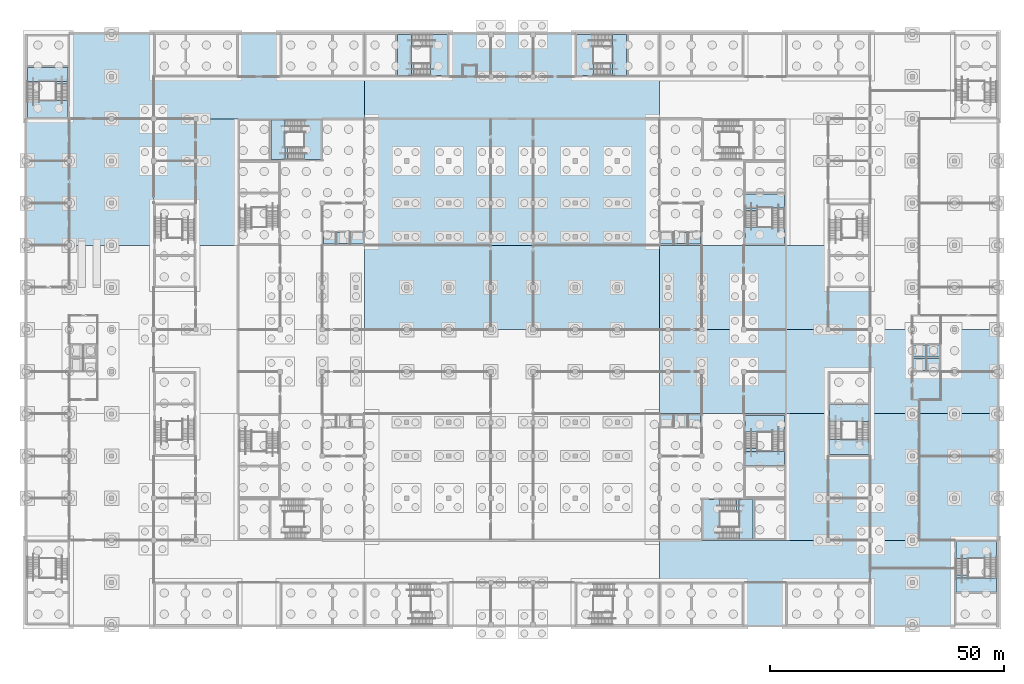
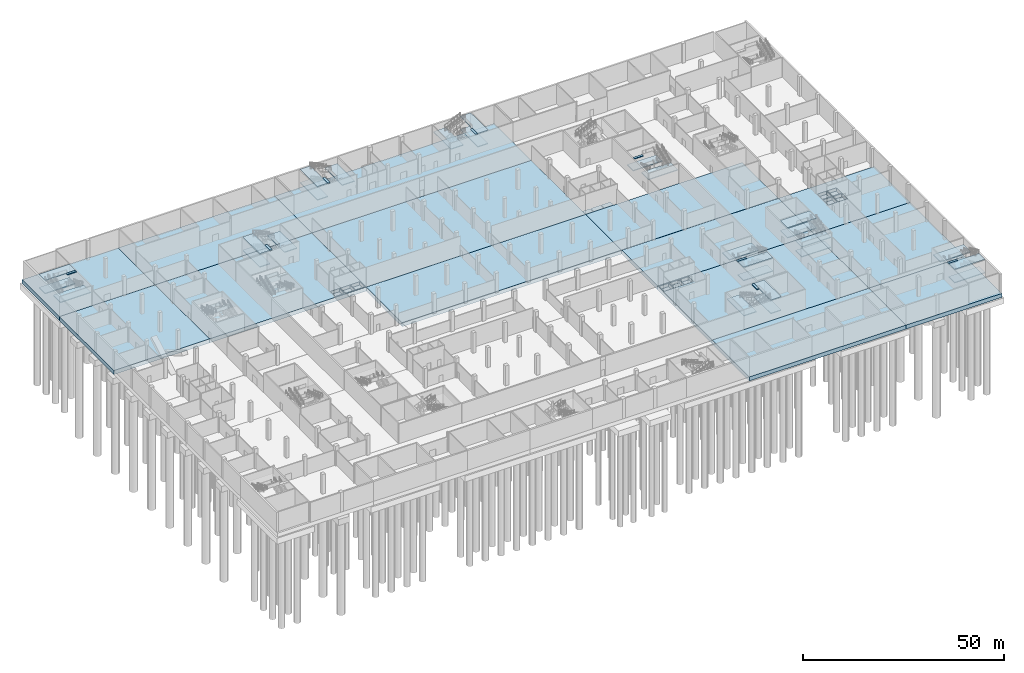
# One storey, part 6 of 42: 62 slabs, 9 elements without a shape of their own.
"""IFC4 building model written with IfcOpenShell, lengths in metres."""

from ifc_helpers import new_model, si_unit, direction, frame, origin, place, context, subcontext, project, spatial, polyline, outline, extrude, material, layer, layer_set, type_object, element, aggregate, save


model = new_model("IFC4")

# Units and contexts
model_context = context("Model", 3, precision=1e-05, world=origin(), true_north=direction((0.0, 1.0)))
body_context = subcontext(model_context, "Body", "Model", "MODEL_VIEW")
ifc_project = project(units=[si_unit("LENGTHUNIT", "METRE"), si_unit("AREAUNIT", "SQUARE_METRE"), si_unit("VOLUMEUNIT", "CUBIC_METRE"), si_unit("PLANEANGLEUNIT", "RADIAN"), si_unit("MASSUNIT", "GRAM", prefix="KILO")], contexts=[model_context])

# Site, building, storey
site_placement = place(None, origin())
site = spatial("IfcSite", under=ifc_project, at=site_placement, CompositionType="ELEMENT")
building_placement = place(site_placement, origin())
building = spatial("IfcBuilding", under=site, at=building_placement, Name="Silverbay Arena", CompositionType="ELEMENT")
storey_placement = place(building_placement, frame((0.0, 0.0, -6.0)))
storey = spatial("IfcBuildingStorey", under=building, at=storey_placement, Name="B1", CompositionType="ELEMENT", Elevation=-6.0)

# Slabs
ifc_material_1 = material(Name="Concrete Grade C45", Category="concrete")
ifc_layer_1 = layer(ifc_material_1, 1.199951171875)
ifc_layer_set_1 = layer_set([ifc_layer_1], Name="Concrete Grade C45")
slab_type_1 = type_object("IfcSlabType", Name="RC base slab 1200", PredefinedType="BASESLAB", material=ifc_layer_set_1)
slab_1_placement = place(storey_placement, frame((0.0, 0.0, -1.199951171875)))
element("IfcSlab", 1, at=slab_1_placement, inside=storey, type_object=slab_type_1, Name="Floor slab B1 unit 4", PredefinedType="BASESLAB", context=body_context, shape_type="SweptSolid", body=[
    extrude(outline(polyline([(207.0, 36.0), (207.0, 17.5), (162.0, 17.5), (162.0, 36.0), (207.0, 36.0)])), origin(), (0.0, 0.0, 1.0), 1.199951171875),
])
slab_2_placement = place(storey_placement, frame((0.0, 0.0, -1.199951171875)))
element("IfcSlab", 2, at=slab_2_placement, inside=storey, type_object=slab_type_1, Name="Floor slab B1 unit 5", PredefinedType="BASESLAB", context=body_context, shape_type="SweptSolid", body=[
    extrude(outline(polyline([(207.0, 36.0), (234.5, 36.0), (234.5, 17.5), (207.0, 17.5), (207.0, 36.0)])), origin(), (0.0, 0.0, 1.0), 1.199951171875),
])
slab_3_placement = place(storey_placement, frame((0.0, 0.0, -1.199951171875)))
element("IfcSlab", 3, at=slab_3_placement, inside=storey, type_object=slab_type_1, Name="Floor slab B1 unit 9", PredefinedType="BASESLAB", context=body_context, shape_type="SweptSolid", body=[
    extrude(outline(polyline([(207.0, 63.074951171875), (207.0, 36.0), (162.0, 36.0), (162.0, 63.074951171875), (207.0, 63.074951171875)]), holes=[polyline([(168.10009765625, 62.75), (168.10009765625, 60.25), (170.75, 60.25), (170.75, 62.75), (168.10009765625, 62.75)]), polyline([(165.10009765625, 62.75), (165.10009765625, 60.25), (167.89990234375, 60.25), (167.89990234375, 62.75), (165.10009765625, 62.75)]), polyline([(162.25, 62.75), (162.25, 60.25), (164.89990234375, 60.25), (164.89990234375, 62.75), (162.25, 62.75)])]), origin(), (0.0, 0.0, 1.0), 1.199951171875),
])
slab_4_placement = place(storey_placement, frame((0.0, 0.0, -1.199951171875)))
element("IfcSlab", 4, at=slab_4_placement, inside=storey, type_object=slab_type_1, Name="Floor slab B1 unit 10", PredefinedType="BASESLAB", context=body_context, shape_type="SweptSolid", body=[
    extrude(outline(polyline([(207.0, 63.074951171875), (234.5, 63.074951171875), (234.5, 36.0), (207.0, 36.0), (207.0, 63.074951171875)])), origin(), (0.0, 0.0, 1.0), 1.199951171875),
])
slab_5_placement = place(storey_placement, frame((0.0, 0.0, -1.199951171875)))
element("IfcSlab", 5, at=slab_5_placement, inside=storey, type_object=slab_type_1, Name="Floor slab B1 unit 13 B", PredefinedType="BASESLAB", context=body_context, shape_type="SweptSolid", body=[
    extrude(outline(polyline([(162.0, 81.050048828125), (99.0, 81.050048828125), (99.0, 98.925048828125), (162.0, 98.925048828125), (162.0, 81.050048828125)])), origin(), (0.0, 0.0, 1.0), 1.199951171875),
])
slab_6_placement = place(storey_placement, frame((0.0, 0.0, -1.199951171875)))
element("IfcSlab", 6, at=slab_6_placement, inside=storey, type_object=slab_type_1, Name="Floor slab B1 unit 14", PredefinedType="BASESLAB", context=body_context, shape_type="SweptSolid", body=[
    extrude(outline(polyline([(207.0, 63.074951171875), (162.0, 63.074951171875), (162.0, 81.0), (207.0, 81.0), (207.0, 63.074951171875)])), origin(), (0.0, 0.0, 1.0), 1.199951171875),
])
slab_7_placement = place(storey_placement, frame((0.0, 0.0, -1.199951171875)))
element("IfcSlab", 7, at=slab_7_placement, inside=storey, type_object=slab_type_1, Name="Floor slab B1 unit 14 B", PredefinedType="BASESLAB", context=body_context, shape_type="SweptSolid", body=[
    extrude(outline(polyline([(207.0, 81.050048828125), (162.0, 81.050048828125), (162.0, 98.925048828125), (207.0, 98.925048828125), (207.0, 81.050048828125)])), origin(), (0.0, 0.0, 1.0), 1.199951171875),
])
slab_8_placement = place(storey_placement, frame((0.0, 0.0, -1.199951171875)))
element("IfcSlab", 8, at=slab_8_placement, inside=storey, type_object=slab_type_1, Name="Floor slab B1 unit 15 B", PredefinedType="BASESLAB", context=body_context, shape_type="SweptSolid", body=[
    extrude(outline(polyline([(234.5, 63.074951171875), (207.0, 63.074951171875), (207.0, 81.0), (234.5, 81.0), (234.5, 63.074951171875)]), holes=[polyline([(219.10009765625, 75.125), (221.75, 75.125), (221.75, 77.75), (219.10009765625, 77.75), (219.10009765625, 75.125)]), polyline([(219.10009765625, 74.875), (219.10009765625, 72.25), (221.75, 72.25), (221.75, 74.875), (219.10009765625, 74.875)]), polyline([(216.25, 75.125), (218.89990234375, 75.125), (218.89990234375, 77.75), (216.25, 77.75), (216.25, 75.125)]), polyline([(216.25, 74.875), (216.25, 72.25), (218.89990234375, 72.25), (218.89990234375, 74.875), (216.25, 74.875)])]), origin(), (0.0, 0.0, 1.0), 1.199951171875),
])
slab_9_placement = place(storey_placement, frame((0.0, 0.0, -1.199951171875)))
element("IfcSlab", 9, at=slab_9_placement, inside=storey, type_object=slab_type_1, Name="Floor slab B1 unit 16", PredefinedType="BASESLAB", context=body_context, shape_type="SweptSolid", body=[
    extrude(outline(polyline([(54.0, 98.925048828125), (26.5, 98.925048828125), (26.5, 126.0), (54.0, 126.0), (54.0, 98.925048828125)])), origin(), (0.0, 0.0, 1.0), 1.199951171875),
])
slab_10_placement = place(storey_placement, frame((0.0, 0.0, -1.199951171875)))
element("IfcSlab", 10, at=slab_10_placement, inside=storey, type_object=slab_type_1, Name="Floor slab B1 unit 17", PredefinedType="BASESLAB", context=body_context, shape_type="SweptSolid", body=[
    extrude(outline(polyline([(99.0, 126.0), (99.0, 98.925048828125), (54.0, 98.925048828125), (54.0, 126.0), (99.0, 126.0)]), holes=[polyline([(98.75, 101.75), (96.10009765625, 101.75), (96.10009765625, 99.25), (98.75, 99.25), (98.75, 101.75)]), polyline([(95.89990234375, 101.75), (93.10009765625, 101.75), (93.10009765625, 99.25), (95.89990234375, 99.25), (95.89990234375, 101.75)]), polyline([(90.25, 101.75), (90.25, 99.25), (92.89990234375, 99.25), (92.89990234375, 101.75), (90.25, 101.75)])]), origin(), (0.0, 0.0, 1.0), 1.199951171875),
])
slab_11_placement = place(storey_placement, frame((0.0, 0.0, -1.199951171875)))
element("IfcSlab", 11, at=slab_11_placement, inside=storey, type_object=slab_type_1, Name="Floor slab B1 unit 18", PredefinedType="BASESLAB", context=body_context, shape_type="SweptSolid", body=[
    extrude(outline(polyline([(162.0, 126.0), (162.0, 98.925048828125), (99.0, 98.925048828125), (99.0, 126.0), (162.0, 126.0)])), origin(), (0.0, 0.0, 1.0), 1.199951171875),
])
slab_12_placement = place(storey_placement, frame((0.0, 0.0, -1.199951171875)))
element("IfcSlab", 12, at=slab_12_placement, inside=storey, type_object=slab_type_1, Name="Floor slab B1 unit 21", PredefinedType="BASESLAB", context=body_context, shape_type="SweptSolid", body=[
    extrude(outline(polyline([(26.5, 126.0), (26.5, 144.5), (54.0, 144.5), (54.0, 126.0), (26.5, 126.0)])), origin(), (0.0, 0.0, 1.0), 1.199951171875),
])
slab_13_placement = place(storey_placement, frame((0.0, 0.0, -1.199951171875)))
element("IfcSlab", 13, at=slab_13_placement, inside=storey, type_object=slab_type_1, Name="Floor slab B1 unit 22", PredefinedType="BASESLAB", context=body_context, shape_type="SweptSolid", body=[
    extrude(outline(polyline([(54.0, 126.0), (54.0, 144.5), (99.0, 144.5), (99.0, 126.0), (54.0, 126.0)])), origin(), (0.0, 0.0, 1.0), 1.199951171875),
])
slab_14_placement = place(storey_placement, frame((0.0, 0.0, -1.199951171875)))
element("IfcSlab", 14, at=slab_14_placement, inside=storey, type_object=slab_type_1, Name="Floor slab B1 unit 23", PredefinedType="BASESLAB", context=body_context, shape_type="SweptSolid", body=[
    extrude(outline(polyline([(99.0, 126.0), (99.0, 144.5), (162.0, 144.5), (162.0, 126.0), (99.0, 126.0)])), origin(), (0.0, 0.0, 1.0), 1.199951171875),
])
ifc_material_2 = material(Name="Concrete Grade C45", Category="concrete")
ifc_layer_2 = layer(ifc_material_2, 0.199951171875)
ifc_layer_set_2 = layer_set([ifc_layer_2], Name="Concrete Grade C45")
slab_type_2 = type_object("IfcSlabType", Name="RC base slab 200", PredefinedType="BASESLAB", material=ifc_layer_set_2)
slab_15_placement = place(storey_placement, frame((0.0, 0.0, -1.199951171875)))
element("IfcSlab", 15, at=slab_15_placement, inside=storey, type_object=slab_type_2, Name="Lift pit slab LF6", PredefinedType="BASESLAB", context=body_context, shape_type="SweptSolid", body=[
    extrude(outline(polyline([(162.25, 60.25), (164.89990234375, 60.25), (164.89990234375, 62.75), (162.25, 62.75), (162.25, 60.25)])), origin(), (0.0, 0.0, 1.0), 0.199951171875),
])
slab_16_placement = place(storey_placement, frame((0.0, 0.0, -1.199951171875)))
element("IfcSlab", 16, at=slab_16_placement, inside=storey, type_object=slab_type_2, Name="Lift pit slab LF7", PredefinedType="BASESLAB", context=body_context, shape_type="SweptSolid", body=[
    extrude(outline(polyline([(165.10009765625, 60.25), (167.89990234375, 60.25), (167.89990234375, 62.75), (165.10009765625, 62.75), (165.10009765625, 60.25)])), origin(), (0.0, 0.0, 1.0), 0.199951171875),
])
slab_17_placement = place(storey_placement, frame((0.0, 0.0, -1.199951171875)))
element("IfcSlab", 17, at=slab_17_placement, inside=storey, type_object=slab_type_2, Name="Lift pit slab LF8", PredefinedType="BASESLAB", context=body_context, shape_type="SweptSolid", body=[
    extrude(outline(polyline([(168.10009765625, 60.25), (170.75, 60.25), (170.75, 62.75), (168.10009765625, 62.75), (168.10009765625, 60.25)])), origin(), (0.0, 0.0, 1.0), 0.199951171875),
])
slab_18_placement = place(storey_placement, frame((0.0, 0.0, -1.199951171875)))
element("IfcSlab", 18, at=slab_18_placement, inside=storey, type_object=slab_type_2, Name="Lift pit slab LF9", PredefinedType="BASESLAB", context=body_context, shape_type="SweptSolid", body=[
    extrude(outline(polyline([(90.25, 99.25), (92.89990234375, 99.25), (92.89990234375, 101.75), (90.25, 101.75), (90.25, 99.25)])), origin(), (0.0, 0.0, 1.0), 0.199951171875),
])
slab_19_placement = place(storey_placement, frame((0.0, 0.0, -1.199951171875)))
element("IfcSlab", 19, at=slab_19_placement, inside=storey, type_object=slab_type_2, Name="Lift pit slab LF10", PredefinedType="BASESLAB", context=body_context, shape_type="SweptSolid", body=[
    extrude(outline(polyline([(93.10009765625, 99.25), (95.89990234375, 99.25), (95.89990234375, 101.75), (93.10009765625, 101.75), (93.10009765625, 99.25)])), origin(), (0.0, 0.0, 1.0), 0.199951171875),
])
slab_20_placement = place(storey_placement, frame((0.0, 0.0, -1.199951171875)))
element("IfcSlab", 20, at=slab_20_placement, inside=storey, type_object=slab_type_2, Name="Lift pit slab LF11", PredefinedType="BASESLAB", context=body_context, shape_type="SweptSolid", body=[
    extrude(outline(polyline([(96.10009765625, 99.25), (98.75, 99.25), (98.75, 101.75), (96.10009765625, 101.75), (96.10009765625, 99.25)])), origin(), (0.0, 0.0, 1.0), 0.199951171875),
])
slab_21_placement = place(storey_placement, frame((0.0, 0.0, -1.199951171875)))
element("IfcSlab", 21, at=slab_21_placement, inside=storey, type_object=slab_type_2, Name="Lift pit slab LF12", PredefinedType="BASESLAB", context=body_context, shape_type="SweptSolid", body=[
    extrude(outline(polyline([(162.25, 99.25), (164.89990234375, 99.25), (164.89990234375, 101.75), (162.25, 101.75), (162.25, 99.25)])), origin(), (0.0, 0.0, 1.0), 0.199951171875),
])
slab_22_placement = place(storey_placement, frame((0.0, 0.0, -1.199951171875)))
element("IfcSlab", 22, at=slab_22_placement, inside=storey, type_object=slab_type_2, Name="Lift pit slab LF13", PredefinedType="BASESLAB", context=body_context, shape_type="SweptSolid", body=[
    extrude(outline(polyline([(165.10009765625, 99.25), (167.89990234375, 99.25), (167.89990234375, 101.75), (165.10009765625, 101.75), (165.10009765625, 99.25)])), origin(), (0.0, 0.0, 1.0), 0.199951171875),
])
slab_23_placement = place(storey_placement, frame((0.0, 0.0, -1.199951171875)))
element("IfcSlab", 23, at=slab_23_placement, inside=storey, type_object=slab_type_2, Name="Lift pit slab LF14", PredefinedType="BASESLAB", context=body_context, shape_type="SweptSolid", body=[
    extrude(outline(polyline([(168.10009765625, 99.25), (170.75, 99.25), (170.75, 101.75), (168.10009765625, 101.75), (168.10009765625, 99.25)])), origin(), (0.0, 0.0, 1.0), 0.199951171875),
])
slab_24_placement = place(storey_placement, frame((0.0, 0.0, -1.199951171875)))
element("IfcSlab", 24, at=slab_24_placement, inside=storey, type_object=slab_type_2, Name="Lift pit slab LF20", PredefinedType="BASESLAB", context=body_context, shape_type="SweptSolid", body=[
    extrude(outline(polyline([(216.25, 72.25), (218.89990234375, 72.25), (218.89990234375, 74.875), (216.25, 74.875), (216.25, 72.25)])), origin(), (0.0, 0.0, 1.0), 0.199951171875),
])
slab_25_placement = place(storey_placement, frame((0.0, 0.0, -1.199951171875)))
element("IfcSlab", 25, at=slab_25_placement, inside=storey, type_object=slab_type_2, Name="Lift pit slab LF21", PredefinedType="BASESLAB", context=body_context, shape_type="SweptSolid", body=[
    extrude(outline(polyline([(219.10009765625, 72.25), (221.75, 72.25), (221.75, 74.875), (219.10009765625, 74.875), (219.10009765625, 72.25)])), origin(), (0.0, 0.0, 1.0), 0.199951171875),
])
slab_26_placement = place(storey_placement, frame((0.0, 0.0, -1.199951171875)))
element("IfcSlab", 26, at=slab_26_placement, inside=storey, type_object=slab_type_2, Name="Lift pit slab LF22", PredefinedType="BASESLAB", context=body_context, shape_type="SweptSolid", body=[
    extrude(outline(polyline([(216.25, 75.125), (218.89990234375, 75.125), (218.89990234375, 77.75), (216.25, 77.75), (216.25, 75.125)])), origin(), (0.0, 0.0, 1.0), 0.199951171875),
])
slab_27_placement = place(storey_placement, frame((0.0, 0.0, -1.199951171875)))
element("IfcSlab", 27, at=slab_27_placement, inside=storey, type_object=slab_type_2, Name="Lift pit slab LF23", PredefinedType="BASESLAB", context=body_context, shape_type="SweptSolid", body=[
    extrude(outline(polyline([(219.10009765625, 75.125), (221.75, 75.125), (221.75, 77.75), (219.10009765625, 77.75), (219.10009765625, 75.125)])), origin(), (0.0, 0.0, 1.0), 0.199951171875),
])

# Stair, slab
ifc_material_3 = material(Name="Concrete Grade C45", Category="concrete")
stair_type_1 = type_object("IfcStairType", Name="Stair 2600 wide 48 risers 125.0 x 300", PredefinedType="HALF_TURN_STAIR", material=ifc_material_3)
stair_1_placement = place(storey_placement, origin())
stair_1 = element("IfcStair", 28, at=stair_1_placement, inside=storey, type_object=stair_type_1, Name="Stair ST-N2 B1 to L00", PredefinedType="HALF_TURN_STAIR")
ifc_material_4 = material(Name="Concrete Grade C45", Category="concrete")
ifc_layer_3 = layer(ifc_material_4, 0.25)
ifc_layer_set_3 = layer_set([ifc_layer_3], Name="Concrete Grade C45")
slab_type_3 = type_object("IfcSlabType", Name="Stair arrival platform RC 250", PredefinedType="FLOOR", material=ifc_layer_set_3)
slab_28_placement = place(storey_placement, frame((0.0, 0.0, 5.75)))
slab_28 = element("IfcSlab", 29, at=slab_28_placement, type_object=slab_type_3, Name="Stair ST-N2 B1 to L00 arrival platform 4", PredefinedType="FLOOR", context=body_context, shape_type="SweptSolid", body=[
    extrude(outline(polyline([(109.60009765625, 135.300048828125), (108.989990234375, 135.300048828125), (108.989990234375, 137.89990234375), (109.60009765625, 137.89990234375), (109.60009765625, 135.300048828125)])), origin(), (0.0, 0.0, 1.0), 0.25),
])

stair_2_placement = place(storey_placement, origin())
stair_2 = element("IfcStair", 30, at=stair_2_placement, inside=storey, type_object=stair_type_1, Name="Stair ST-N3 B1 to L00", PredefinedType="HALF_TURN_STAIR")
slab_29_placement = place(storey_placement, frame((0.0, 0.0, 5.75)))
slab_29 = element("IfcSlab", 31, at=slab_29_placement, type_object=slab_type_3, Name="Stair ST-N3 B1 to L00 arrival platform 4", PredefinedType="FLOOR", context=body_context, shape_type="SweptSolid", body=[
    extrude(outline(polyline([(151.39990234375, 135.300048828125), (152.010009765625, 135.300048828125), (152.010009765625, 137.89990234375), (151.39990234375, 137.89990234375), (151.39990234375, 135.300048828125)])), origin(), (0.0, 0.0, 1.0), 0.25),
])

stair_3_placement = place(storey_placement, origin())
stair_3 = element("IfcStair", 32, at=stair_3_placement, inside=storey, type_object=stair_type_1, Name="Stair ST-SE1 B1 to L00", PredefinedType="HALF_TURN_STAIR")
slab_30_placement = place(storey_placement, frame((0.0, 0.0, 5.75)))
slab_30 = element("IfcSlab", 33, at=slab_30_placement, type_object=slab_type_3, Name="Stair ST-SE1 B1 to L00 arrival platform 4", PredefinedType="FLOOR", context=body_context, shape_type="SweptSolid", body=[
    extrude(outline(polyline([(178.39990234375, 44.699951171875), (179.010009765625, 44.699951171875), (179.010009765625, 42.10009765625), (178.39990234375, 42.10009765625), (178.39990234375, 44.699951171875)])), origin(), (0.0, 0.0, 1.0), 0.25),
])

stair_4_placement = place(storey_placement, origin())
stair_4 = element("IfcStair", 34, at=stair_4_placement, inside=storey, type_object=stair_type_1, Name="Stair ST-SE2 B1 to L00", PredefinedType="HALF_TURN_STAIR")
slab_31_placement = place(storey_placement, frame((0.0, 0.0, 5.75)))
slab_31 = element("IfcSlab", 35, at=slab_31_placement, type_object=slab_type_3, Name="Stair ST-SE2 B1 to L00 arrival platform 4", PredefinedType="FLOOR", context=body_context, shape_type="SweptSolid", body=[
    extrude(outline(polyline([(180.300048828125, 55.60009765625), (180.300048828125, 54.989990234375), (182.89990234375, 54.989990234375), (182.89990234375, 55.60009765625), (180.300048828125, 55.60009765625)])), origin(), (0.0, 0.0, 1.0), 0.25),
])

stair_5_placement = place(storey_placement, origin())
stair_5 = element("IfcStair", 36, at=stair_5_placement, inside=storey, type_object=stair_type_1, Name="Stair ST-NW1 B1 to L00", PredefinedType="HALF_TURN_STAIR")
slab_32_placement = place(storey_placement, frame((0.0, 0.0, 5.75)))
slab_32 = element("IfcSlab", 37, at=slab_32_placement, type_object=slab_type_3, Name="Stair ST-NW1 B1 to L00 arrival platform 4", PredefinedType="FLOOR", context=body_context, shape_type="SweptSolid", body=[
    extrude(outline(polyline([(82.60009765625, 117.300048828125), (81.989990234375, 117.300048828125), (81.989990234375, 119.89990234375), (82.60009765625, 119.89990234375), (82.60009765625, 117.300048828125)])), origin(), (0.0, 0.0, 1.0), 0.25),
])

stair_6_placement = place(storey_placement, origin())
stair_6 = element("IfcStair", 38, at=stair_6_placement, inside=storey, type_object=stair_type_1, Name="Stair ST-NE2 B1 to L00", PredefinedType="HALF_TURN_STAIR")
slab_33_placement = place(storey_placement, frame((0.0, 0.0, 5.75)))
slab_33 = element("IfcSlab", 39, at=slab_33_placement, type_object=slab_type_3, Name="Stair ST-NE2 B1 to L00 arrival platform 4", PredefinedType="FLOOR", context=body_context, shape_type="SweptSolid", body=[
    extrude(outline(polyline([(180.300048828125, 106.39990234375), (180.300048828125, 107.010009765625), (182.89990234375, 107.010009765625), (182.89990234375, 106.39990234375), (180.300048828125, 106.39990234375)])), origin(), (0.0, 0.0, 1.0), 0.25),
])

stair_7_placement = place(storey_placement, origin())
stair_7 = element("IfcStair", 40, at=stair_7_placement, inside=storey, type_object=stair_type_1, Name="Stair ST-WG2 B1 to L00", PredefinedType="HALF_TURN_STAIR")
slab_34_placement = place(storey_placement, frame((0.0, 0.0, 5.75)))
slab_34 = element("IfcSlab", 41, at=slab_34_placement, type_object=slab_type_3, Name="Stair ST-WG2 B1 to L00 arrival platform 4", PredefinedType="FLOOR", context=body_context, shape_type="SweptSolid", body=[
    extrude(outline(polyline([(35.699951171875, 133.39990234375), (35.699951171875, 134.010009765625), (33.10009765625, 134.010009765625), (33.10009765625, 133.39990234375), (35.699951171875, 133.39990234375)])), origin(), (0.0, 0.0, 1.0), 0.25),
])

stair_8_placement = place(storey_placement, origin())
stair_8 = element("IfcStair", 42, at=stair_8_placement, inside=storey, type_object=stair_type_1, Name="Stair ST-EG1 B1 to L00", PredefinedType="HALF_TURN_STAIR")
slab_35_placement = place(storey_placement, frame((0.0, 0.0, 5.75)))
slab_35 = element("IfcSlab", 43, at=slab_35_placement, type_object=slab_type_3, Name="Stair ST-EG1 B1 to L00 arrival platform 4", PredefinedType="FLOOR", context=body_context, shape_type="SweptSolid", body=[
    extrude(outline(polyline([(225.300048828125, 28.60009765625), (225.300048828125, 27.989990234375), (227.89990234375, 27.989990234375), (227.89990234375, 28.60009765625), (225.300048828125, 28.60009765625)])), origin(), (0.0, 0.0, 1.0), 0.25),
])

# Slab
ifc_material_5 = material(Name="Concrete Grade C45", Category="concrete")
ifc_layer_4 = layer(ifc_material_5, 0.25)
ifc_layer_set_4 = layer_set([ifc_layer_4], Name="Concrete Grade C45")
slab_type_4 = type_object("IfcSlabType", Name="Stair landing RC 250", PredefinedType="LANDING", material=ifc_layer_set_4)
slab_36_placement = place(storey_placement, frame((0.0, 0.0, 1.75)))
slab_36 = element("IfcSlab", 44, at=slab_36_placement, type_object=slab_type_4, Name="Stair ST-N2 B1 to L00 landing 1", PredefinedType="LANDING", context=body_context, shape_type="SweptSolid", body=[
    extrude(outline(polyline([(108.989990234375, 135.300048828125), (106.0, 135.300048828125), (106.0, 144.0), (108.989990234375, 144.0), (108.989990234375, 135.300048828125)])), origin(), (0.0, 0.0, 1.0), 0.25),
])

slab_37_placement = place(storey_placement, frame((0.0, 0.0, 3.75)))
slab_37 = element("IfcSlab", 45, at=slab_37_placement, type_object=slab_type_4, Name="Stair ST-N2 B1 to L00 landing 2", PredefinedType="LANDING", context=body_context, shape_type="SweptSolid", body=[
    extrude(outline(polyline([(116.699951171875, 135.300048828125), (113.10009765625, 135.300048828125), (113.10009765625, 144.0), (116.699951171875, 144.0), (116.699951171875, 135.300048828125)])), origin(), (0.0, 0.0, 1.0), 0.25),
])

slab_38_placement = place(storey_placement, frame((0.0, 0.0, 5.75)))
slab_38 = element("IfcSlab", 46, at=slab_38_placement, type_object=slab_type_4, Name="Stair ST-N2 B1 to L00 landing 3", PredefinedType="LANDING", context=body_context, shape_type="SweptSolid", body=[
    extrude(outline(polyline([(108.989990234375, 135.300048828125), (106.0, 135.300048828125), (106.0, 144.0), (108.989990234375, 144.0), (108.989990234375, 135.300048828125)])), origin(), (0.0, 0.0, 1.0), 0.25),
])

aggregate(stair_1, [slab_36, slab_37, slab_38, slab_28])

slab_39_placement = place(storey_placement, frame((0.0, 0.0, 1.75)))
slab_39 = element("IfcSlab", 47, at=slab_39_placement, type_object=slab_type_4, Name="Stair ST-N3 B1 to L00 landing 1", PredefinedType="LANDING", context=body_context, shape_type="SweptSolid", body=[
    extrude(outline(polyline([(152.010009765625, 135.300048828125), (155.0, 135.300048828125), (155.0, 144.0), (152.010009765625, 144.0), (152.010009765625, 135.300048828125)])), origin(), (0.0, 0.0, 1.0), 0.25),
])

slab_40_placement = place(storey_placement, frame((0.0, 0.0, 3.75)))
slab_40 = element("IfcSlab", 48, at=slab_40_placement, type_object=slab_type_4, Name="Stair ST-N3 B1 to L00 landing 2", PredefinedType="LANDING", context=body_context, shape_type="SweptSolid", body=[
    extrude(outline(polyline([(144.300048828125, 135.300048828125), (147.89990234375, 135.300048828125), (147.89990234375, 144.0), (144.300048828125, 144.0), (144.300048828125, 135.300048828125)])), origin(), (0.0, 0.0, 1.0), 0.25),
])

slab_41_placement = place(storey_placement, frame((0.0, 0.0, 5.75)))
slab_41 = element("IfcSlab", 49, at=slab_41_placement, type_object=slab_type_4, Name="Stair ST-N3 B1 to L00 landing 3", PredefinedType="LANDING", context=body_context, shape_type="SweptSolid", body=[
    extrude(outline(polyline([(152.010009765625, 135.300048828125), (155.0, 135.300048828125), (155.0, 144.0), (152.010009765625, 144.0), (152.010009765625, 135.300048828125)])), origin(), (0.0, 0.0, 1.0), 0.25),
])

aggregate(stair_2, [slab_39, slab_40, slab_41, slab_29])

# Stair, slabs
ifc_material_6 = material(Name="Concrete Grade C45", Category="concrete")
stair_type_2 = type_object("IfcStairType", Name="Stair 2600 wide 56 risers 107.1 x 340", PredefinedType="HALF_TURN_STAIR", material=ifc_material_6)
stair_9_placement = place(storey_placement, origin())
stair_9 = element("IfcStair", 50, at=stair_9_placement, inside=storey, type_object=stair_type_2, Name="Stair ST-E1 B1 to L00", PredefinedType="HALF_TURN_STAIR")
slab_42_placement = place(storey_placement, frame((0.0, 0.0, 1.25)))
slab_42 = element("IfcSlab", 51, at=slab_42_placement, type_object=slab_type_4, Name="Stair ST-E1 B1 to L00 landing 1", PredefinedType="LANDING", context=body_context, shape_type="SweptSolid", body=[
    extrude(outline(polyline([(198.300048828125, 57.47900390625), (198.300048828125, 54.300048828125), (206.699951171875, 54.300048828125), (206.699951171875, 57.47900390625), (198.300048828125, 57.47900390625)])), origin(), (0.0, 0.0, 1.0), 0.25),
])
slab_43_placement = place(storey_placement, frame((0.0, 0.0, 2.75)))
slab_43 = element("IfcSlab", 52, at=slab_43_placement, type_object=slab_type_4, Name="Stair ST-E1 B1 to L00 landing 2", PredefinedType="LANDING", context=body_context, shape_type="SweptSolid", body=[
    extrude(outline(polyline([(198.300048828125, 65.0), (198.300048828125, 61.39990234375), (206.699951171875, 61.39990234375), (206.699951171875, 65.0), (198.300048828125, 65.0)])), origin(), (0.0, 0.0, 1.0), 0.25),
])
slab_44_placement = place(storey_placement, frame((0.0, 0.0, 4.25)))
slab_44 = element("IfcSlab", 53, at=slab_44_placement, type_object=slab_type_4, Name="Stair ST-E1 B1 to L00 landing 3", PredefinedType="LANDING", context=body_context, shape_type="SweptSolid", body=[
    extrude(outline(polyline([(198.300048828125, 57.47900390625), (198.300048828125, 54.300048828125), (206.699951171875, 54.300048828125), (206.699951171875, 57.47900390625), (198.300048828125, 57.47900390625)])), origin(), (0.0, 0.0, 1.0), 0.25),
])
slab_45_placement = place(storey_placement, frame((0.0, 0.0, 5.75)))
slab_45 = element("IfcSlab", 54, at=slab_45_placement, type_object=slab_type_4, Name="Stair ST-E1 B1 to L00 landing 4", PredefinedType="LANDING", context=body_context, shape_type="SweptSolid", body=[
    extrude(outline(polyline([(198.300048828125, 65.0), (198.300048828125, 61.39990234375), (206.699951171875, 61.39990234375), (206.699951171875, 65.0), (198.300048828125, 65.0)])), origin(), (0.0, 0.0, 1.0), 0.25),
])
aggregate(stair_9, [slab_42, slab_43, slab_44, slab_45])

# Slab
slab_46_placement = place(storey_placement, frame((0.0, 0.0, 1.75)))
slab_46 = element("IfcSlab", 55, at=slab_46_placement, type_object=slab_type_4, Name="Stair ST-SE1 B1 to L00 landing 1", PredefinedType="LANDING", context=body_context, shape_type="SweptSolid", body=[
    extrude(outline(polyline([(179.010009765625, 44.699951171875), (182.0, 44.699951171875), (182.0, 36.300048828125), (179.010009765625, 36.300048828125), (179.010009765625, 44.699951171875)])), origin(), (0.0, 0.0, 1.0), 0.25),
])

slab_47_placement = place(storey_placement, frame((0.0, 0.0, 3.75)))
slab_47 = element("IfcSlab", 56, at=slab_47_placement, type_object=slab_type_4, Name="Stair ST-SE1 B1 to L00 landing 2", PredefinedType="LANDING", context=body_context, shape_type="SweptSolid", body=[
    extrude(outline(polyline([(171.300048828125, 44.699951171875), (174.89990234375, 44.699951171875), (174.89990234375, 36.300048828125), (171.300048828125, 36.300048828125), (171.300048828125, 44.699951171875)])), origin(), (0.0, 0.0, 1.0), 0.25),
])

slab_48_placement = place(storey_placement, frame((0.0, 0.0, 5.75)))
slab_48 = element("IfcSlab", 57, at=slab_48_placement, type_object=slab_type_4, Name="Stair ST-SE1 B1 to L00 landing 3", PredefinedType="LANDING", context=body_context, shape_type="SweptSolid", body=[
    extrude(outline(polyline([(179.010009765625, 44.699951171875), (182.0, 44.699951171875), (182.0, 36.300048828125), (179.010009765625, 36.300048828125), (179.010009765625, 44.699951171875)])), origin(), (0.0, 0.0, 1.0), 0.25),
])

aggregate(stair_3, [slab_46, slab_47, slab_48, slab_30])

slab_49_placement = place(storey_placement, frame((0.0, 0.0, 1.75)))
slab_49 = element("IfcSlab", 58, at=slab_49_placement, type_object=slab_type_4, Name="Stair ST-SE2 B1 to L00 landing 1", PredefinedType="LANDING", context=body_context, shape_type="SweptSolid", body=[
    extrude(outline(polyline([(180.300048828125, 54.989990234375), (180.300048828125, 52.0), (188.699951171875, 52.0), (188.699951171875, 54.989990234375), (180.300048828125, 54.989990234375)])), origin(), (0.0, 0.0, 1.0), 0.25),
])

slab_50_placement = place(storey_placement, frame((0.0, 0.0, 3.75)))
slab_50 = element("IfcSlab", 59, at=slab_50_placement, type_object=slab_type_4, Name="Stair ST-SE2 B1 to L00 landing 2", PredefinedType="LANDING", context=body_context, shape_type="SweptSolid", body=[
    extrude(outline(polyline([(180.300048828125, 62.699951171875), (180.300048828125, 59.10009765625), (188.699951171875, 59.10009765625), (188.699951171875, 62.699951171875), (180.300048828125, 62.699951171875)])), origin(), (0.0, 0.0, 1.0), 0.25),
])

slab_51_placement = place(storey_placement, frame((0.0, 0.0, 5.75)))
slab_51 = element("IfcSlab", 60, at=slab_51_placement, type_object=slab_type_4, Name="Stair ST-SE2 B1 to L00 landing 3", PredefinedType="LANDING", context=body_context, shape_type="SweptSolid", body=[
    extrude(outline(polyline([(180.300048828125, 54.989990234375), (180.300048828125, 52.0), (188.699951171875, 52.0), (188.699951171875, 54.989990234375), (180.300048828125, 54.989990234375)])), origin(), (0.0, 0.0, 1.0), 0.25),
])

aggregate(stair_4, [slab_49, slab_50, slab_51, slab_31])

slab_52_placement = place(storey_placement, frame((0.0, 0.0, 1.75)))
slab_52 = element("IfcSlab", 61, at=slab_52_placement, type_object=slab_type_4, Name="Stair ST-NW1 B1 to L00 landing 1", PredefinedType="LANDING", context=body_context, shape_type="SweptSolid", body=[
    extrude(outline(polyline([(81.989990234375, 117.300048828125), (79.0, 117.300048828125), (79.0, 125.699951171875), (81.989990234375, 125.699951171875), (81.989990234375, 117.300048828125)])), origin(), (0.0, 0.0, 1.0), 0.25),
])

slab_53_placement = place(storey_placement, frame((0.0, 0.0, 3.75)))
slab_53 = element("IfcSlab", 62, at=slab_53_placement, type_object=slab_type_4, Name="Stair ST-NW1 B1 to L00 landing 2", PredefinedType="LANDING", context=body_context, shape_type="SweptSolid", body=[
    extrude(outline(polyline([(89.699951171875, 117.300048828125), (86.10009765625, 117.300048828125), (86.10009765625, 125.699951171875), (89.699951171875, 125.699951171875), (89.699951171875, 117.300048828125)])), origin(), (0.0, 0.0, 1.0), 0.25),
])

slab_54_placement = place(storey_placement, frame((0.0, 0.0, 5.75)))
slab_54 = element("IfcSlab", 63, at=slab_54_placement, type_object=slab_type_4, Name="Stair ST-NW1 B1 to L00 landing 3", PredefinedType="LANDING", context=body_context, shape_type="SweptSolid", body=[
    extrude(outline(polyline([(81.989990234375, 117.300048828125), (79.0, 117.300048828125), (79.0, 125.699951171875), (81.989990234375, 125.699951171875), (81.989990234375, 117.300048828125)])), origin(), (0.0, 0.0, 1.0), 0.25),
])

aggregate(stair_5, [slab_52, slab_53, slab_54, slab_32])

slab_55_placement = place(storey_placement, frame((0.0, 0.0, 1.75)))
slab_55 = element("IfcSlab", 64, at=slab_55_placement, type_object=slab_type_4, Name="Stair ST-NE2 B1 to L00 landing 1", PredefinedType="LANDING", context=body_context, shape_type="SweptSolid", body=[
    extrude(outline(polyline([(180.300048828125, 107.010009765625), (180.300048828125, 110.0), (188.699951171875, 110.0), (188.699951171875, 107.010009765625), (180.300048828125, 107.010009765625)])), origin(), (0.0, 0.0, 1.0), 0.25),
])

slab_56_placement = place(storey_placement, frame((0.0, 0.0, 3.75)))
slab_56 = element("IfcSlab", 65, at=slab_56_placement, type_object=slab_type_4, Name="Stair ST-NE2 B1 to L00 landing 2", PredefinedType="LANDING", context=body_context, shape_type="SweptSolid", body=[
    extrude(outline(polyline([(180.300048828125, 99.300048828125), (180.300048828125, 102.89990234375), (188.699951171875, 102.89990234375), (188.699951171875, 99.300048828125), (180.300048828125, 99.300048828125)])), origin(), (0.0, 0.0, 1.0), 0.25),
])

aggregate(stair_6, [slab_55, slab_56, slab_33])

slab_57_placement = place(storey_placement, frame((0.0, 0.0, 1.75)))
slab_57 = element("IfcSlab", 66, at=slab_57_placement, type_object=slab_type_4, Name="Stair ST-WG2 B1 to L00 landing 1", PredefinedType="LANDING", context=body_context, shape_type="SweptSolid", body=[
    extrude(outline(polyline([(35.699951171875, 134.010009765625), (35.699951171875, 137.0), (27.0, 137.0), (27.0, 134.010009765625), (35.699951171875, 134.010009765625)])), origin(), (0.0, 0.0, 1.0), 0.25),
])

slab_58_placement = place(storey_placement, frame((0.0, 0.0, 3.75)))
slab_58 = element("IfcSlab", 67, at=slab_58_placement, type_object=slab_type_4, Name="Stair ST-WG2 B1 to L00 landing 2", PredefinedType="LANDING", context=body_context, shape_type="SweptSolid", body=[
    extrude(outline(polyline([(35.699951171875, 126.300048828125), (35.699951171875, 129.89990234375), (27.0, 129.89990234375), (27.0, 126.300048828125), (35.699951171875, 126.300048828125)])), origin(), (0.0, 0.0, 1.0), 0.25),
])

slab_59_placement = place(storey_placement, frame((0.0, 0.0, 5.75)))
slab_59 = element("IfcSlab", 68, at=slab_59_placement, type_object=slab_type_4, Name="Stair ST-WG2 B1 to L00 landing 3", PredefinedType="LANDING", context=body_context, shape_type="SweptSolid", body=[
    extrude(outline(polyline([(35.699951171875, 134.010009765625), (35.699951171875, 137.0), (27.0, 137.0), (27.0, 134.010009765625), (35.699951171875, 134.010009765625)])), origin(), (0.0, 0.0, 1.0), 0.25),
])

aggregate(stair_7, [slab_57, slab_58, slab_59, slab_34])

slab_60_placement = place(storey_placement, frame((0.0, 0.0, 1.75)))
slab_60 = element("IfcSlab", 69, at=slab_60_placement, type_object=slab_type_4, Name="Stair ST-EG1 B1 to L00 landing 1", PredefinedType="LANDING", context=body_context, shape_type="SweptSolid", body=[
    extrude(outline(polyline([(225.300048828125, 27.989990234375), (225.300048828125, 25.0), (234.0, 25.0), (234.0, 27.989990234375), (225.300048828125, 27.989990234375)])), origin(), (0.0, 0.0, 1.0), 0.25),
])

slab_61_placement = place(storey_placement, frame((0.0, 0.0, 3.75)))
slab_61 = element("IfcSlab", 70, at=slab_61_placement, type_object=slab_type_4, Name="Stair ST-EG1 B1 to L00 landing 2", PredefinedType="LANDING", context=body_context, shape_type="SweptSolid", body=[
    extrude(outline(polyline([(225.300048828125, 35.699951171875), (225.300048828125, 32.10009765625), (234.0, 32.10009765625), (234.0, 35.699951171875), (225.300048828125, 35.699951171875)])), origin(), (0.0, 0.0, 1.0), 0.25),
])

slab_62_placement = place(storey_placement, frame((0.0, 0.0, 5.75)))
slab_62 = element("IfcSlab", 71, at=slab_62_placement, type_object=slab_type_4, Name="Stair ST-EG1 B1 to L00 landing 3", PredefinedType="LANDING", context=body_context, shape_type="SweptSolid", body=[
    extrude(outline(polyline([(225.300048828125, 27.989990234375), (225.300048828125, 25.0), (234.0, 25.0), (234.0, 27.989990234375), (225.300048828125, 27.989990234375)])), origin(), (0.0, 0.0, 1.0), 0.25),
])

aggregate(stair_8, [slab_60, slab_61, slab_62, slab_35])

save(model, "model.ifc")
